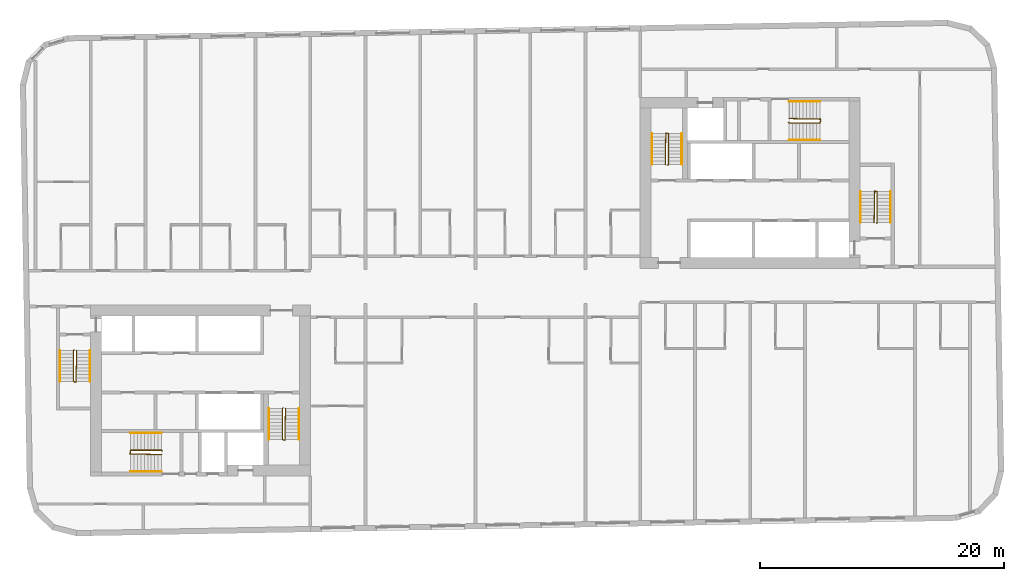
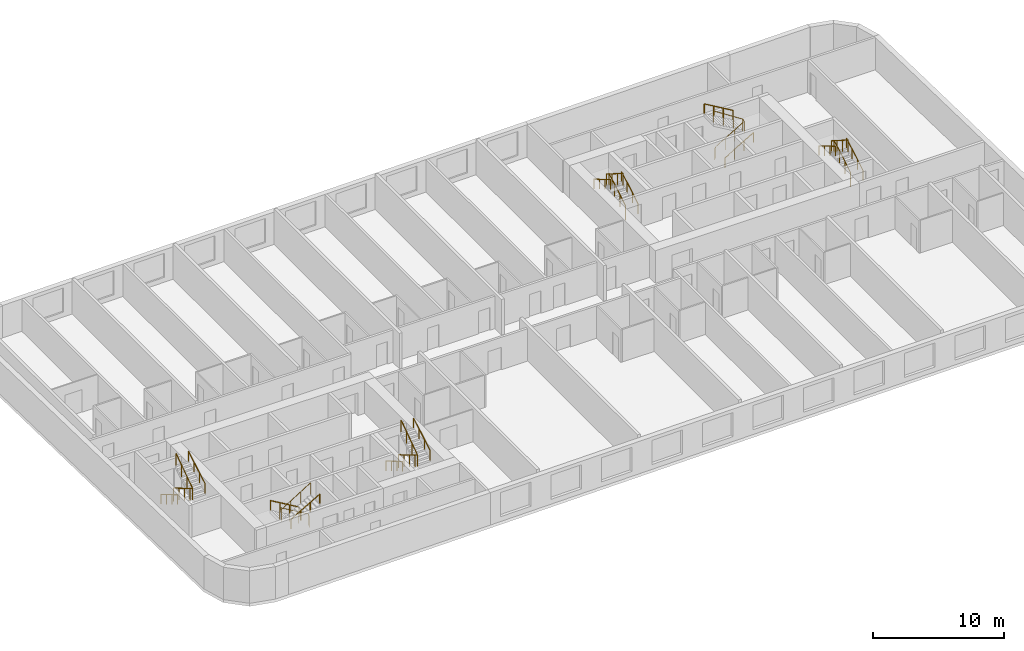
# One storey, part 11 of 11: 18 railings.
"""IFC4 building model written with IfcOpenShell, lengths in metres."""

from ifc_helpers import new_model, si_unit, direction, frame, origin, origin_2d, place, context, subcontext, project, spatial, circle, extrude, material, type_object, element, save


model = new_model("IFC4")

# Units and contexts
model_context = context("Model", 3, precision=1e-05, world=origin(), true_north=direction((0.0, 1.0)))
body_context = subcontext(model_context, "Body", "Model", "MODEL_VIEW")
ifc_project = project(units=[si_unit("LENGTHUNIT", "METRE"), si_unit("AREAUNIT", "SQUARE_METRE"), si_unit("VOLUMEUNIT", "CUBIC_METRE"), si_unit("PLANEANGLEUNIT", "RADIAN"), si_unit("MASSUNIT", "GRAM", prefix="KILO")], contexts=[model_context])

# Site, building, storey
site_placement = place(None, origin())
site = spatial("IfcSite", under=ifc_project, at=site_placement, CompositionType="ELEMENT")
building_placement = place(site_placement, origin())
building = spatial("IfcBuilding", under=site, at=building_placement, Name="Kajstack Hotel Tower", CompositionType="ELEMENT")
storey_placement = place(building_placement, frame((0.0, 0.0, 240.800048828125)))
storey = spatial("IfcBuildingStorey", under=building, at=storey_placement, Name="L59", CompositionType="ELEMENT", Elevation=240.800048828125)

# Railings
ifc_material = material(Name="Steel S355J2", Category="steel")
railing_type_1 = type_object("IfcRailingType", Name="Stair guard 1100", PredefinedType="GUARDRAIL", material=ifc_material)
railing_1_placement = place(storey_placement, frame((-32.85009765625, -5.199951171875, 0.0)))
element("IfcRailing", 1, at=railing_1_placement, inside=storey, type_object=railing_type_1, Name="L59 W1 stair guard 1", PredefinedType="GUARDRAIL", context=body_context, shape_type="SweptSolid", body=[
    extrude(circle(Radius=0.02392578125, at=origin_2d()), frame((0.0, 0.0, 1.076171875), z_axis=(-0.277450376394, -0.278810427259, 0.919394384522), x_axis=(0.708833529934, -0.705375805398, 0.0)), (0.0, 0.0, 1.0), 0.179443359375),
    extrude(circle(Radius=0.02392578125, at=origin_2d()), frame((-0.0498046875, -0.050048828125, 1.2412109375), z_axis=(0.0, -0.861560626758, 0.507654692109), x_axis=(1.0, 0.0, 0.0)), (0.0, 0.0, 1.0), 2.925048828125),
    extrude(circle(Radius=0.02392578125, at=origin_2d()), frame((-0.0498046875, -2.570068359375, 2.72607421875), z_axis=(0.970072785993, -0.242814311512, 0.0), x_axis=(0.242814311512, 0.970072785993, 0.0)), (0.0, 0.0, 1.0), 0.2060546875),
    extrude(circle(Radius=0.02392578125, at=origin_2d()), frame((0.150146484375, -2.6201171875, 2.72607421875), z_axis=(0.016384601254, 0.84136925563, 0.540212292087), x_axis=(-0.999810440751, 0.019470042781, 0.0)), (0.0, 0.0, 1.0), 3.0546875),
    extrude(circle(Radius=0.02099609375, at=origin_2d()), origin(), (0.0, 0.0, 1.0), 1.052001953125),
    extrude(circle(Radius=0.02099609375, at=origin_2d()), frame((-0.0498046875, -0.050048828125, 0.1650390625)), (0.0, 0.0, 1.0), 1.052001953125),
    extrude(circle(Radius=0.02099609375, at=origin_2d()), frame((-0.0498046875, -0.89013671875, 0.659912109375)), (0.0, 0.0, 1.0), 1.052001953125),
    extrude(circle(Radius=0.02099609375, at=origin_2d()), frame((-0.0498046875, -1.72998046875, 1.155029296875)), (0.0, 0.0, 1.0), 1.052001953125),
    extrude(circle(Radius=0.02099609375, at=origin_2d()), frame((-0.0498046875, -2.570068359375, 1.64990234375)), (0.0, 0.0, 1.0), 1.052001953125),
    extrude(circle(Radius=0.02099609375, at=origin_2d()), frame((0.150146484375, -2.6201171875, 1.64990234375)), (0.0, 0.0, 1.0), 1.052001953125),
    extrude(circle(Radius=0.02099609375, at=origin_2d()), frame((0.166748046875, -1.763427734375, 2.199951171875)), (0.0, 0.0, 1.0), 1.052001953125),
    extrude(circle(Radius=0.02099609375, at=origin_2d()), frame((0.18359375, -0.90673828125, 2.75)), (0.0, 0.0, 1.0), 1.052001953125),
    extrude(circle(Radius=0.02099609375, at=origin_2d()), frame((0.2001953125, -0.050048828125, 3.300048828125)), (0.0, 0.0, 1.0), 1.052001953125),
])
railing_2_placement = place(storey_placement, frame((-15.75, -9.949951171875, 0.0)))
element("IfcRailing", 2, at=railing_2_placement, inside=storey, type_object=railing_type_1, Name="L59 W2 stair guard 1", PredefinedType="GUARDRAIL", context=body_context, shape_type="SweptSolid", body=[
    extrude(circle(Radius=0.02392578125, at=origin_2d()), frame((0.0, 0.0, 1.076171875), z_axis=(-0.278705021027, -0.278705021027, 0.919046801044), x_axis=(0.707106781187, -0.707106781187, 0.0)), (0.0, 0.0, 1.0), 0.1796875),
    extrude(circle(Radius=0.02392578125, at=origin_2d()), frame((-0.050048828125, -0.050048828125, 1.2412109375), z_axis=(0.0, -0.861560626758, 0.507654692109), x_axis=(1.0, 0.0, 0.0)), (0.0, 0.0, 1.0), 2.925048828125),
    extrude(circle(Radius=0.02392578125, at=origin_2d()), frame((-0.050048828125, -2.570068359375, 2.72607421875), z_axis=(0.970072785993, -0.242814311512, 0.0), x_axis=(0.242814311512, 0.970072785993, 0.0)), (0.0, 0.0, 1.0), 0.2060546875),
    extrude(circle(Radius=0.02392578125, at=origin_2d()), frame((0.14990234375, -2.6201171875, 2.72607421875), z_axis=(0.016384601254, 0.84136925563, 0.540212292087), x_axis=(-0.999810440751, 0.019470042781, 0.0)), (0.0, 0.0, 1.0), 3.0546875),
    extrude(circle(Radius=0.02099609375, at=origin_2d()), origin(), (0.0, 0.0, 1.0), 1.052001953125),
    extrude(circle(Radius=0.02099609375, at=origin_2d()), frame((-0.050048828125, -0.050048828125, 0.1650390625)), (0.0, 0.0, 1.0), 1.052001953125),
    extrude(circle(Radius=0.02099609375, at=origin_2d()), frame((-0.050048828125, -0.89013671875, 0.659912109375)), (0.0, 0.0, 1.0), 1.052001953125),
    extrude(circle(Radius=0.02099609375, at=origin_2d()), frame((-0.050048828125, -1.72998046875, 1.155029296875)), (0.0, 0.0, 1.0), 1.052001953125),
    extrude(circle(Radius=0.02099609375, at=origin_2d()), frame((-0.050048828125, -2.570068359375, 1.64990234375)), (0.0, 0.0, 1.0), 1.052001953125),
    extrude(circle(Radius=0.02099609375, at=origin_2d()), frame((0.14990234375, -2.6201171875, 1.64990234375)), (0.0, 0.0, 1.0), 1.052001953125),
    extrude(circle(Radius=0.02099609375, at=origin_2d()), frame((0.16650390625, -1.763427734375, 2.199951171875)), (0.0, 0.0, 1.0), 1.052001953125),
    extrude(circle(Radius=0.02099609375, at=origin_2d()), frame((0.183349609375, -0.90673828125, 2.75)), (0.0, 0.0, 1.0), 1.052001953125),
    extrude(circle(Radius=0.02099609375, at=origin_2d()), frame((0.199951171875, -0.050048828125, 3.300048828125)), (0.0, 0.0, 1.0), 1.052001953125),
])
railing_3_placement = place(storey_placement, frame((-25.64990234375, -13.449951171875, 0.0)))
element("IfcRailing", 3, at=railing_3_placement, inside=storey, type_object=railing_type_1, Name="L59 W3 stair guard 1", PredefinedType="GUARDRAIL", context=body_context, shape_type="SweptSolid", body=[
    extrude(circle(Radius=0.02392578125, at=origin_2d()), frame((0.0, 0.0, 1.076171875), z_axis=(-0.278705021027, 0.278705021027, 0.919046801044), x_axis=(-0.707106781187, -0.707106781187, 0.0)), (0.0, 0.0, 1.0), 0.1796875),
    extrude(circle(Radius=0.02392578125, at=origin_2d()), frame((-0.050048828125, 0.050048828125, 1.2412109375), z_axis=(-0.861560626758, 0.0, 0.507654692109), x_axis=(0.0, -1.0, 0.0)), (0.0, 0.0, 1.0), 2.925048828125),
    extrude(circle(Radius=0.02392578125, at=origin_2d()), frame((-2.570068359375, 0.050048828125, 2.72607421875), z_axis=(-0.164529134168, -0.986372223864, 0.0), x_axis=(0.986372223864, -0.164529134168, 0.0)), (0.0, 0.0, 1.0), 0.30419921875),
    extrude(circle(Radius=0.02392578125, at=origin_2d()), frame((-2.6201171875, -0.25, 2.72607421875), z_axis=(0.84136925563, -0.016384601254, 0.540212292087), x_axis=(0.019470042781, 0.999810440751, 0.0)), (0.0, 0.0, 1.0), 3.0546875),
    extrude(circle(Radius=0.02099609375, at=origin_2d()), origin(), (0.0, 0.0, 1.0), 1.052001953125),
    extrude(circle(Radius=0.02099609375, at=origin_2d()), frame((-0.050048828125, 0.050048828125, 0.1650390625)), (0.0, 0.0, 1.0), 1.052001953125),
    extrude(circle(Radius=0.02099609375, at=origin_2d()), frame((-0.89013671875, 0.050048828125, 0.659912109375)), (0.0, 0.0, 1.0), 1.052001953125),
    extrude(circle(Radius=0.02099609375, at=origin_2d()), frame((-1.72998046875, 0.050048828125, 1.155029296875)), (0.0, 0.0, 1.0), 1.052001953125),
    extrude(circle(Radius=0.02099609375, at=origin_2d()), frame((-2.570068359375, 0.050048828125, 1.64990234375)), (0.0, 0.0, 1.0), 1.052001953125),
    extrude(circle(Radius=0.02099609375, at=origin_2d()), frame((-2.6201171875, -0.25, 1.64990234375)), (0.0, 0.0, 1.0), 1.052001953125),
    extrude(circle(Radius=0.02099609375, at=origin_2d()), frame((-1.763427734375, -0.2666015625, 2.199951171875)), (0.0, 0.0, 1.0), 1.052001953125),
    extrude(circle(Radius=0.02099609375, at=origin_2d()), frame((-0.90673828125, -0.283447265625, 2.75)), (0.0, 0.0, 1.0), 1.052001953125),
    extrude(circle(Radius=0.02099609375, at=origin_2d()), frame((-0.050048828125, -0.300048828125, 3.300048828125)), (0.0, 0.0, 1.0), 1.052001953125),
])
railing_4_placement = place(storey_placement, frame((32.85009765625, 5.199951171875, 0.0)))
element("IfcRailing", 4, at=railing_4_placement, inside=storey, type_object=railing_type_1, Name="L59 E1 stair guard 1", PredefinedType="GUARDRAIL", context=body_context, shape_type="SweptSolid", body=[
    extrude(circle(Radius=0.02392578125, at=origin_2d()), frame((0.0, 0.0, 1.076171875), z_axis=(0.277450376394, 0.278810427259, 0.919394384522), x_axis=(-0.708833529934, 0.705375805398, 0.0)), (0.0, 0.0, 1.0), 0.179443359375),
    extrude(circle(Radius=0.02392578125, at=origin_2d()), frame((0.0498046875, 0.050048828125, 1.2412109375), z_axis=(0.0, 0.861560626758, 0.507654692109), x_axis=(-1.0, 0.0, 0.0)), (0.0, 0.0, 1.0), 2.925048828125),
    extrude(circle(Radius=0.02392578125, at=origin_2d()), frame((0.0498046875, 2.570068359375, 2.72607421875), z_axis=(-0.970072785993, 0.242814311512, 0.0), x_axis=(-0.242814311512, -0.970072785993, 0.0)), (0.0, 0.0, 1.0), 0.2060546875),
    extrude(circle(Radius=0.02392578125, at=origin_2d()), frame((-0.150146484375, 2.6201171875, 2.72607421875), z_axis=(-0.016384601254, -0.84136925563, 0.540212292087), x_axis=(0.999810440751, -0.019470042781, 0.0)), (0.0, 0.0, 1.0), 3.0546875),
    extrude(circle(Radius=0.02099609375, at=origin_2d()), origin(), (0.0, 0.0, 1.0), 1.052001953125),
    extrude(circle(Radius=0.02099609375, at=origin_2d()), frame((0.0498046875, 0.050048828125, 0.1650390625)), (0.0, 0.0, 1.0), 1.052001953125),
    extrude(circle(Radius=0.02099609375, at=origin_2d()), frame((0.0498046875, 0.89013671875, 0.659912109375)), (0.0, 0.0, 1.0), 1.052001953125),
    extrude(circle(Radius=0.02099609375, at=origin_2d()), frame((0.0498046875, 1.72998046875, 1.155029296875)), (0.0, 0.0, 1.0), 1.052001953125),
    extrude(circle(Radius=0.02099609375, at=origin_2d()), frame((0.0498046875, 2.570068359375, 1.64990234375)), (0.0, 0.0, 1.0), 1.052001953125),
    extrude(circle(Radius=0.02099609375, at=origin_2d()), frame((-0.150146484375, 2.6201171875, 1.64990234375)), (0.0, 0.0, 1.0), 1.052001953125),
    extrude(circle(Radius=0.02099609375, at=origin_2d()), frame((-0.166748046875, 1.763427734375, 2.199951171875)), (0.0, 0.0, 1.0), 1.052001953125),
    extrude(circle(Radius=0.02099609375, at=origin_2d()), frame((-0.18359375, 0.90673828125, 2.75)), (0.0, 0.0, 1.0), 1.052001953125),
    extrude(circle(Radius=0.02099609375, at=origin_2d()), frame((-0.2001953125, 0.050048828125, 3.300048828125)), (0.0, 0.0, 1.0), 1.052001953125),
])
railing_5_placement = place(storey_placement, frame((15.75, 9.949951171875, 0.0)))
element("IfcRailing", 5, at=railing_5_placement, inside=storey, type_object=railing_type_1, Name="L59 E2 stair guard 1", PredefinedType="GUARDRAIL", context=body_context, shape_type="SweptSolid", body=[
    extrude(circle(Radius=0.02392578125, at=origin_2d()), frame((0.0, 0.0, 1.076171875), z_axis=(0.278705021027, 0.278705021027, 0.919046801044), x_axis=(-0.707106781187, 0.707106781187, 0.0)), (0.0, 0.0, 1.0), 0.1796875),
    extrude(circle(Radius=0.02392578125, at=origin_2d()), frame((0.050048828125, 0.050048828125, 1.2412109375), z_axis=(0.0, 0.861560626758, 0.507654692109), x_axis=(-1.0, 0.0, 0.0)), (0.0, 0.0, 1.0), 2.925048828125),
    extrude(circle(Radius=0.02392578125, at=origin_2d()), frame((0.050048828125, 2.570068359375, 2.72607421875), z_axis=(-0.970072785993, 0.242814311512, 0.0), x_axis=(-0.242814311512, -0.970072785993, 0.0)), (0.0, 0.0, 1.0), 0.2060546875),
    extrude(circle(Radius=0.02392578125, at=origin_2d()), frame((-0.14990234375, 2.6201171875, 2.72607421875), z_axis=(-0.016384601254, -0.84136925563, 0.540212292087), x_axis=(0.999810440751, -0.019470042781, 0.0)), (0.0, 0.0, 1.0), 3.0546875),
    extrude(circle(Radius=0.02099609375, at=origin_2d()), origin(), (0.0, 0.0, 1.0), 1.052001953125),
    extrude(circle(Radius=0.02099609375, at=origin_2d()), frame((0.050048828125, 0.050048828125, 0.1650390625)), (0.0, 0.0, 1.0), 1.052001953125),
    extrude(circle(Radius=0.02099609375, at=origin_2d()), frame((0.050048828125, 0.89013671875, 0.659912109375)), (0.0, 0.0, 1.0), 1.052001953125),
    extrude(circle(Radius=0.02099609375, at=origin_2d()), frame((0.050048828125, 1.72998046875, 1.155029296875)), (0.0, 0.0, 1.0), 1.052001953125),
    extrude(circle(Radius=0.02099609375, at=origin_2d()), frame((0.050048828125, 2.570068359375, 1.64990234375)), (0.0, 0.0, 1.0), 1.052001953125),
    extrude(circle(Radius=0.02099609375, at=origin_2d()), frame((-0.14990234375, 2.6201171875, 1.64990234375)), (0.0, 0.0, 1.0), 1.052001953125),
    extrude(circle(Radius=0.02099609375, at=origin_2d()), frame((-0.16650390625, 1.763427734375, 2.199951171875)), (0.0, 0.0, 1.0), 1.052001953125),
    extrude(circle(Radius=0.02099609375, at=origin_2d()), frame((-0.183349609375, 0.90673828125, 2.75)), (0.0, 0.0, 1.0), 1.052001953125),
    extrude(circle(Radius=0.02099609375, at=origin_2d()), frame((-0.199951171875, 0.050048828125, 3.300048828125)), (0.0, 0.0, 1.0), 1.052001953125),
])
railing_6_placement = place(storey_placement, frame((25.64990234375, 13.449951171875, 0.0)))
element("IfcRailing", 6, at=railing_6_placement, inside=storey, type_object=railing_type_1, Name="L59 E3 stair guard 1", PredefinedType="GUARDRAIL", context=body_context, shape_type="SweptSolid", body=[
    extrude(circle(Radius=0.02392578125, at=origin_2d()), frame((0.0, 0.0, 1.076171875), z_axis=(0.278705021027, -0.278705021027, 0.919046801044), x_axis=(0.707106781187, 0.707106781187, 0.0)), (0.0, 0.0, 1.0), 0.1796875),
    extrude(circle(Radius=0.02392578125, at=origin_2d()), frame((0.050048828125, -0.050048828125, 1.2412109375), z_axis=(0.861560626758, 0.0, 0.507654692109), x_axis=(0.0, 1.0, 0.0)), (0.0, 0.0, 1.0), 2.925048828125),
    extrude(circle(Radius=0.02392578125, at=origin_2d()), frame((2.570068359375, -0.050048828125, 2.72607421875), z_axis=(0.164529134168, 0.986372223864, 0.0), x_axis=(-0.986372223864, 0.164529134168, 0.0)), (0.0, 0.0, 1.0), 0.30419921875),
    extrude(circle(Radius=0.02392578125, at=origin_2d()), frame((2.6201171875, 0.25, 2.72607421875), z_axis=(-0.84136925563, 0.016384601254, 0.540212292087), x_axis=(-0.019470042781, -0.999810440751, 0.0)), (0.0, 0.0, 1.0), 3.0546875),
    extrude(circle(Radius=0.02099609375, at=origin_2d()), origin(), (0.0, 0.0, 1.0), 1.052001953125),
    extrude(circle(Radius=0.02099609375, at=origin_2d()), frame((0.050048828125, -0.050048828125, 0.1650390625)), (0.0, 0.0, 1.0), 1.052001953125),
    extrude(circle(Radius=0.02099609375, at=origin_2d()), frame((0.89013671875, -0.050048828125, 0.659912109375)), (0.0, 0.0, 1.0), 1.052001953125),
    extrude(circle(Radius=0.02099609375, at=origin_2d()), frame((1.72998046875, -0.050048828125, 1.155029296875)), (0.0, 0.0, 1.0), 1.052001953125),
    extrude(circle(Radius=0.02099609375, at=origin_2d()), frame((2.570068359375, -0.050048828125, 1.64990234375)), (0.0, 0.0, 1.0), 1.052001953125),
    extrude(circle(Radius=0.02099609375, at=origin_2d()), frame((2.6201171875, 0.25, 1.64990234375)), (0.0, 0.0, 1.0), 1.052001953125),
    extrude(circle(Radius=0.02099609375, at=origin_2d()), frame((1.763427734375, 0.2666015625, 2.199951171875)), (0.0, 0.0, 1.0), 1.052001953125),
    extrude(circle(Radius=0.02099609375, at=origin_2d()), frame((0.90673828125, 0.283447265625, 2.75)), (0.0, 0.0, 1.0), 1.052001953125),
    extrude(circle(Radius=0.02099609375, at=origin_2d()), frame((0.050048828125, 0.300048828125, 3.300048828125)), (0.0, 0.0, 1.0), 1.052001953125),
])
railing_type_2 = type_object("IfcRailingType", Name="Stair handrail 900", PredefinedType="HANDRAIL", material=ifc_material)
railing_7_placement = place(storey_placement, frame((-34.0, -5.25, 0.1650390625)))
element("IfcRailing", 7, at=railing_7_placement, inside=storey, type_object=railing_type_2, Name="L59 W1 stair handrail 1", PredefinedType="HANDRAIL", context=body_context, shape_type="SweptSolid", body=[
    extrude(circle(Radius=0.02392578125, at=origin_2d()), frame((0.0, 0.0, 0.8759765625), z_axis=(0.0, -0.861560626758, 0.507654692109), x_axis=(1.0, 0.0, 0.0)), (0.0, 0.0, 1.0), 2.925048828125),
    extrude(circle(Radius=0.02099609375, at=origin_2d()), origin(), (0.0, 0.0, 1.0), 0.851806640625),
    extrude(circle(Radius=0.02099609375, at=origin_2d()), frame((0.0, -0.840087890625, 0.494873046875)), (0.0, 0.0, 1.0), 0.851806640625),
    extrude(circle(Radius=0.02099609375, at=origin_2d()), frame((0.0, -1.679931640625, 0.989990234375)), (0.0, 0.0, 1.0), 0.851806640625),
    extrude(circle(Radius=0.02099609375, at=origin_2d()), frame((0.0, -2.52001953125, 1.48486328125)), (0.0, 0.0, 1.0), 0.851806640625),
])
railing_8_placement = place(storey_placement, frame((-31.550048828125, -7.77001953125, 1.81494140625)))
element("IfcRailing", 8, at=railing_8_placement, inside=storey, type_object=railing_type_2, Name="L59 W1 stair handrail 2", PredefinedType="HANDRAIL", context=body_context, shape_type="SweptSolid", body=[
    extrude(circle(Radius=0.02392578125, at=origin_2d()), frame((0.0, 0.0, 0.8759765625), z_axis=(0.0, 0.86152411907, 0.507716645641), x_axis=(-1.0, 0.0, 0.0)), (0.0, 0.0, 1.0), 2.925048828125),
    extrude(circle(Radius=0.02099609375, at=origin_2d()), origin(), (0.0, 0.0, 1.0), 0.851806640625),
    extrude(circle(Radius=0.02099609375, at=origin_2d()), frame((0.0, 0.840087890625, 0.4951171875)), (0.0, 0.0, 1.0), 0.851806640625),
    extrude(circle(Radius=0.02099609375, at=origin_2d()), frame((0.0, 1.679931640625, 0.989990234375)), (0.0, 0.0, 1.0), 0.851806640625),
    extrude(circle(Radius=0.02099609375, at=origin_2d()), frame((0.0, 2.52001953125, 1.485107421875)), (0.0, 0.0, 1.0), 0.851806640625),
])
railing_9_placement = place(storey_placement, frame((-16.89990234375, -10.0, 0.1650390625)))
element("IfcRailing", 9, at=railing_9_placement, inside=storey, type_object=railing_type_2, Name="L59 W2 stair handrail 1", PredefinedType="HANDRAIL", context=body_context, shape_type="SweptSolid", body=[
    extrude(circle(Radius=0.02392578125, at=origin_2d()), frame((0.0, 0.0, 0.8759765625), z_axis=(0.0, -0.861560626758, 0.507654692109), x_axis=(1.0, 0.0, 0.0)), (0.0, 0.0, 1.0), 2.925048828125),
    extrude(circle(Radius=0.02099609375, at=origin_2d()), origin(), (0.0, 0.0, 1.0), 0.851806640625),
    extrude(circle(Radius=0.02099609375, at=origin_2d()), frame((0.0, -0.840087890625, 0.494873046875)), (0.0, 0.0, 1.0), 0.851806640625),
    extrude(circle(Radius=0.02099609375, at=origin_2d()), frame((0.0, -1.679931640625, 0.989990234375)), (0.0, 0.0, 1.0), 0.851806640625),
    extrude(circle(Radius=0.02099609375, at=origin_2d()), frame((0.0, -2.52001953125, 1.48486328125)), (0.0, 0.0, 1.0), 0.851806640625),
])
railing_10_placement = place(storey_placement, frame((-14.449951171875, -12.52001953125, 1.81494140625)))
element("IfcRailing", 10, at=railing_10_placement, inside=storey, type_object=railing_type_2, Name="L59 W2 stair handrail 2", PredefinedType="HANDRAIL", context=body_context, shape_type="SweptSolid", body=[
    extrude(circle(Radius=0.02392578125, at=origin_2d()), frame((0.0, 0.0, 0.8759765625), z_axis=(0.0, 0.86152411907, 0.507716645641), x_axis=(-1.0, 0.0, 0.0)), (0.0, 0.0, 1.0), 2.925048828125),
    extrude(circle(Radius=0.02099609375, at=origin_2d()), origin(), (0.0, 0.0, 1.0), 0.851806640625),
    extrude(circle(Radius=0.02099609375, at=origin_2d()), frame((0.0, 0.840087890625, 0.4951171875)), (0.0, 0.0, 1.0), 0.851806640625),
    extrude(circle(Radius=0.02099609375, at=origin_2d()), frame((0.0, 1.679931640625, 0.989990234375)), (0.0, 0.0, 1.0), 0.851806640625),
    extrude(circle(Radius=0.02099609375, at=origin_2d()), frame((0.0, 2.52001953125, 1.485107421875)), (0.0, 0.0, 1.0), 0.851806640625),
])
railing_11_placement = place(storey_placement, frame((-25.699951171875, -12.0, 0.1650390625)))
element("IfcRailing", 11, at=railing_11_placement, inside=storey, type_object=railing_type_2, Name="L59 W3 stair handrail 1", PredefinedType="HANDRAIL", context=body_context, shape_type="SweptSolid", body=[
    extrude(circle(Radius=0.02392578125, at=origin_2d()), frame((0.0, 0.0, 0.8759765625), z_axis=(-0.861560626758, 0.0, 0.507654692109), x_axis=(0.0, -1.0, 0.0)), (0.0, 0.0, 1.0), 2.925048828125),
    extrude(circle(Radius=0.02099609375, at=origin_2d()), origin(), (0.0, 0.0, 1.0), 0.851806640625),
    extrude(circle(Radius=0.02099609375, at=origin_2d()), frame((-0.840087890625, 0.0, 0.494873046875)), (0.0, 0.0, 1.0), 0.851806640625),
    extrude(circle(Radius=0.02099609375, at=origin_2d()), frame((-1.679931640625, 0.0, 0.989990234375)), (0.0, 0.0, 1.0), 0.851806640625),
    extrude(circle(Radius=0.02099609375, at=origin_2d()), frame((-2.52001953125, 0.0, 1.48486328125)), (0.0, 0.0, 1.0), 0.851806640625),
])
railing_12_placement = place(storey_placement, frame((-28.219970703125, -15.14990234375, 1.81494140625)))
element("IfcRailing", 12, at=railing_12_placement, inside=storey, type_object=railing_type_2, Name="L59 W3 stair handrail 2", PredefinedType="HANDRAIL", context=body_context, shape_type="SweptSolid", body=[
    extrude(circle(Radius=0.02392578125, at=origin_2d()), frame((0.0, 0.0, 0.8759765625), z_axis=(0.86152411907, 0.0, 0.507716645641), x_axis=(0.0, 1.0, 0.0)), (0.0, 0.0, 1.0), 2.925048828125),
    extrude(circle(Radius=0.02099609375, at=origin_2d()), origin(), (0.0, 0.0, 1.0), 0.851806640625),
    extrude(circle(Radius=0.02099609375, at=origin_2d()), frame((0.840087890625, 0.0, 0.4951171875)), (0.0, 0.0, 1.0), 0.851806640625),
    extrude(circle(Radius=0.02099609375, at=origin_2d()), frame((1.679931640625, 0.0, 0.989990234375)), (0.0, 0.0, 1.0), 0.851806640625),
    extrude(circle(Radius=0.02099609375, at=origin_2d()), frame((2.52001953125, 0.0, 1.485107421875)), (0.0, 0.0, 1.0), 0.851806640625),
])
railing_13_placement = place(storey_placement, frame((34.0, 5.25, 0.1650390625)))
element("IfcRailing", 13, at=railing_13_placement, inside=storey, type_object=railing_type_2, Name="L59 E1 stair handrail 1", PredefinedType="HANDRAIL", context=body_context, shape_type="SweptSolid", body=[
    extrude(circle(Radius=0.02392578125, at=origin_2d()), frame((0.0, 0.0, 0.8759765625), z_axis=(0.0, 0.861560626758, 0.507654692109), x_axis=(-1.0, 0.0, 0.0)), (0.0, 0.0, 1.0), 2.925048828125),
    extrude(circle(Radius=0.02099609375, at=origin_2d()), origin(), (0.0, 0.0, 1.0), 0.851806640625),
    extrude(circle(Radius=0.02099609375, at=origin_2d()), frame((0.0, 0.840087890625, 0.494873046875)), (0.0, 0.0, 1.0), 0.851806640625),
    extrude(circle(Radius=0.02099609375, at=origin_2d()), frame((0.0, 1.679931640625, 0.989990234375)), (0.0, 0.0, 1.0), 0.851806640625),
    extrude(circle(Radius=0.02099609375, at=origin_2d()), frame((0.0, 2.52001953125, 1.48486328125)), (0.0, 0.0, 1.0), 0.851806640625),
])
railing_14_placement = place(storey_placement, frame((31.550048828125, 7.77001953125, 1.81494140625)))
element("IfcRailing", 14, at=railing_14_placement, inside=storey, type_object=railing_type_2, Name="L59 E1 stair handrail 2", PredefinedType="HANDRAIL", context=body_context, shape_type="SweptSolid", body=[
    extrude(circle(Radius=0.02392578125, at=origin_2d()), frame((0.0, 0.0, 0.8759765625), z_axis=(0.0, -0.86152411907, 0.507716645641), x_axis=(1.0, 0.0, 0.0)), (0.0, 0.0, 1.0), 2.925048828125),
    extrude(circle(Radius=0.02099609375, at=origin_2d()), origin(), (0.0, 0.0, 1.0), 0.851806640625),
    extrude(circle(Radius=0.02099609375, at=origin_2d()), frame((0.0, -0.840087890625, 0.4951171875)), (0.0, 0.0, 1.0), 0.851806640625),
    extrude(circle(Radius=0.02099609375, at=origin_2d()), frame((0.0, -1.679931640625, 0.989990234375)), (0.0, 0.0, 1.0), 0.851806640625),
    extrude(circle(Radius=0.02099609375, at=origin_2d()), frame((0.0, -2.52001953125, 1.485107421875)), (0.0, 0.0, 1.0), 0.851806640625),
])
railing_15_placement = place(storey_placement, frame((16.89990234375, 10.0, 0.1650390625)))
element("IfcRailing", 15, at=railing_15_placement, inside=storey, type_object=railing_type_2, Name="L59 E2 stair handrail 1", PredefinedType="HANDRAIL", context=body_context, shape_type="SweptSolid", body=[
    extrude(circle(Radius=0.02392578125, at=origin_2d()), frame((0.0, 0.0, 0.8759765625), z_axis=(0.0, 0.861560626758, 0.507654692109), x_axis=(-1.0, 0.0, 0.0)), (0.0, 0.0, 1.0), 2.925048828125),
    extrude(circle(Radius=0.02099609375, at=origin_2d()), origin(), (0.0, 0.0, 1.0), 0.851806640625),
    extrude(circle(Radius=0.02099609375, at=origin_2d()), frame((0.0, 0.840087890625, 0.494873046875)), (0.0, 0.0, 1.0), 0.851806640625),
    extrude(circle(Radius=0.02099609375, at=origin_2d()), frame((0.0, 1.679931640625, 0.989990234375)), (0.0, 0.0, 1.0), 0.851806640625),
    extrude(circle(Radius=0.02099609375, at=origin_2d()), frame((0.0, 2.52001953125, 1.48486328125)), (0.0, 0.0, 1.0), 0.851806640625),
])
railing_16_placement = place(storey_placement, frame((14.449951171875, 12.52001953125, 1.81494140625)))
element("IfcRailing", 16, at=railing_16_placement, inside=storey, type_object=railing_type_2, Name="L59 E2 stair handrail 2", PredefinedType="HANDRAIL", context=body_context, shape_type="SweptSolid", body=[
    extrude(circle(Radius=0.02392578125, at=origin_2d()), frame((0.0, 0.0, 0.8759765625), z_axis=(0.0, -0.86152411907, 0.507716645641), x_axis=(1.0, 0.0, 0.0)), (0.0, 0.0, 1.0), 2.925048828125),
    extrude(circle(Radius=0.02099609375, at=origin_2d()), origin(), (0.0, 0.0, 1.0), 0.851806640625),
    extrude(circle(Radius=0.02099609375, at=origin_2d()), frame((0.0, -0.840087890625, 0.4951171875)), (0.0, 0.0, 1.0), 0.851806640625),
    extrude(circle(Radius=0.02099609375, at=origin_2d()), frame((0.0, -1.679931640625, 0.989990234375)), (0.0, 0.0, 1.0), 0.851806640625),
    extrude(circle(Radius=0.02099609375, at=origin_2d()), frame((0.0, -2.52001953125, 1.485107421875)), (0.0, 0.0, 1.0), 0.851806640625),
])
railing_17_placement = place(storey_placement, frame((25.699951171875, 12.0, 0.1650390625)))
element("IfcRailing", 17, at=railing_17_placement, inside=storey, type_object=railing_type_2, Name="L59 E3 stair handrail 1", PredefinedType="HANDRAIL", context=body_context, shape_type="SweptSolid", body=[
    extrude(circle(Radius=0.02392578125, at=origin_2d()), frame((0.0, 0.0, 0.8759765625), z_axis=(0.861560626758, 0.0, 0.507654692109), x_axis=(0.0, 1.0, 0.0)), (0.0, 0.0, 1.0), 2.925048828125),
    extrude(circle(Radius=0.02099609375, at=origin_2d()), origin(), (0.0, 0.0, 1.0), 0.851806640625),
    extrude(circle(Radius=0.02099609375, at=origin_2d()), frame((0.840087890625, 0.0, 0.494873046875)), (0.0, 0.0, 1.0), 0.851806640625),
    extrude(circle(Radius=0.02099609375, at=origin_2d()), frame((1.679931640625, 0.0, 0.989990234375)), (0.0, 0.0, 1.0), 0.851806640625),
    extrude(circle(Radius=0.02099609375, at=origin_2d()), frame((2.52001953125, 0.0, 1.48486328125)), (0.0, 0.0, 1.0), 0.851806640625),
])
railing_18_placement = place(storey_placement, frame((28.219970703125, 15.14990234375, 1.81494140625)))
element("IfcRailing", 18, at=railing_18_placement, inside=storey, type_object=railing_type_2, Name="L59 E3 stair handrail 2", PredefinedType="HANDRAIL", context=body_context, shape_type="SweptSolid", body=[
    extrude(circle(Radius=0.02392578125, at=origin_2d()), frame((0.0, 0.0, 0.8759765625), z_axis=(-0.86152411907, 0.0, 0.507716645641), x_axis=(0.0, -1.0, 0.0)), (0.0, 0.0, 1.0), 2.925048828125),
    extrude(circle(Radius=0.02099609375, at=origin_2d()), origin(), (0.0, 0.0, 1.0), 0.851806640625),
    extrude(circle(Radius=0.02099609375, at=origin_2d()), frame((-0.840087890625, 0.0, 0.4951171875)), (0.0, 0.0, 1.0), 0.851806640625),
    extrude(circle(Radius=0.02099609375, at=origin_2d()), frame((-1.679931640625, 0.0, 0.989990234375)), (0.0, 0.0, 1.0), 0.851806640625),
    extrude(circle(Radius=0.02099609375, at=origin_2d()), frame((-2.52001953125, 0.0, 1.485107421875)), (0.0, 0.0, 1.0), 0.851806640625),
])

save(model, "model.ifc")
